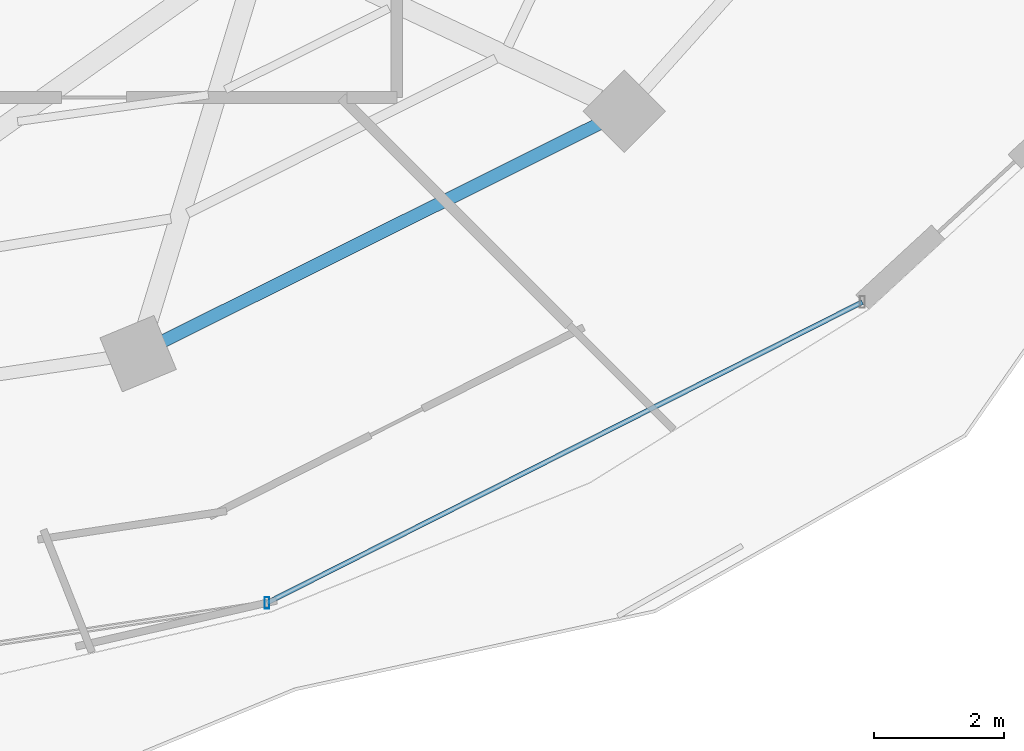
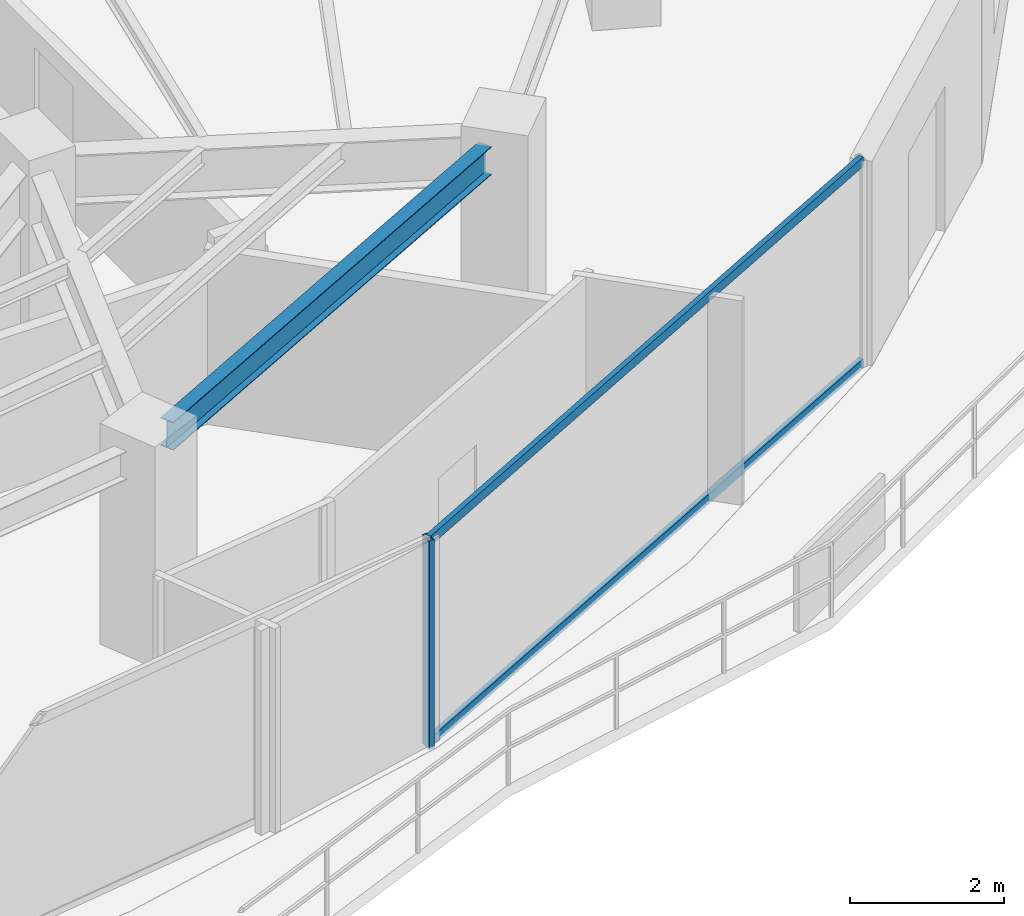
# One storey, part 11 of 33: 3 members, 1 beam, 1 element without a shape of its own.
"""IFC4 building model written with IfcOpenShell, lengths in metres."""

from ifc_helpers import new_model, si_unit, direction, frame, origin, origin_2d, place, context, subcontext, project, spatial, hollow_rectangle, i_section, extrude, material, material_profile, profile_set, type_object, element, aggregate, save


model = new_model("IFC4")

# Units and contexts
model_context = context("Model", 3, precision=1e-05, world=origin(), true_north=direction((0.0, 1.0)))
body_context = subcontext(model_context, "Body", "Model", "MODEL_VIEW")
ifc_project = project(units=[si_unit("LENGTHUNIT", "METRE"), si_unit("AREAUNIT", "SQUARE_METRE"), si_unit("VOLUMEUNIT", "CUBIC_METRE"), si_unit("PLANEANGLEUNIT", "RADIAN"), si_unit("MASSUNIT", "GRAM", prefix="KILO")], contexts=[model_context])

# Site, building, storey
site_placement = place(None, origin())
site = spatial("IfcSite", under=ifc_project, at=site_placement, CompositionType="ELEMENT")
building_placement = place(site_placement, origin())
building = spatial("IfcBuilding", under=site, at=building_placement, Name="Vorneva Point Tower", CompositionType="ELEMENT")
storey_placement = place(building_placement, frame((0.0, 0.0, 189.60009765625)))
storey = spatial("IfcBuildingStorey", under=building, at=storey_placement, Name="L51", CompositionType="ELEMENT", Elevation=189.60009765625)

# Beam
ifc_material_1 = material(Name="Steel S355", Category="steel")
ifc_material_profile_1 = material_profile(ifc_material_1, i_section(OverallWidth=0.198974609375, OverallDepth=0.446044921875, WebThickness=0.008056640625, FlangeThickness=0.011962890625, at=origin_2d()), Name="45B1")
ifc_profile_set_1 = profile_set([ifc_material_profile_1], Name="Steel S355")
beam_type = type_object("IfcBeamType", Name="BM-SPN-45B1", PredefinedType="SPANDREL", material=ifc_profile_set_1)
beam_placement = place(storey_placement, frame((47.210205078125, 10.303466796875, 3.016845703125), z_axis=(0.894922371084, 0.446221861559, 0.0), x_axis=(-0.446221861559, 0.894922371084, 0.0)))
element("IfcBeam", 1, at=beam_placement, inside=storey, type_object=beam_type, Name="L51 Perimeter Spandrel Ring Beam 14", PredefinedType="SPANDREL", context=body_context, shape_type="SweptSolid", body=[
    extrude(i_section(OverallWidth=0.198974609375, OverallDepth=0.446044921875, WebThickness=0.008056640625, FlangeThickness=0.011962890625, at=origin_2d()), origin(), (0.0, 0.0, 1.0), 7.48583984375),
])

# Curtain wall, members
ifc_material_2 = material(Name="Pale anodised aluminium", Category="aluminium")
curtain_wall_type = type_object("IfcCurtainWallType", Name="CW-RES-SYS", PredefinedType="NOTDEFINED", material=ifc_material_2)
curtain_wall_placement = place(storey_placement, origin())
curtain_wall = element("IfcCurtainWall", 2, at=curtain_wall_placement, inside=storey, type_object=curtain_wall_type, Name="L51 Unitised Curtain Wall CW-L51-R04", PredefinedType="NOTDEFINED")
ifc_material_profile_2 = material_profile(ifc_material_2, hollow_rectangle(XDim=0.074951171875, YDim=0.179931640625, WallThickness=0.00390625, at=origin_2d()), Name="AL-MUL 180x75x4")
ifc_profile_set_2 = profile_set([ifc_material_profile_2], Name="Pale anodised aluminium")
member_type_1 = type_object("IfcMemberType", Name="CW-MUL-180", PredefinedType="MULLION", material=ifc_profile_set_2)
member_1_placement = place(storey_placement, frame((48.80322265625, 6.275146484375, -0.0400390625), z_axis=(0.0, 0.0, 1.0), x_axis=(1.0, 0.0, 0.0)))
member_1 = element("IfcMember", 3, at=member_1_placement, type_object=member_type_1, Name="CW-L51-R04 Mullion 04", PredefinedType="MULLION", context=body_context, shape_type="SweptSolid", body=[
    extrude(hollow_rectangle(XDim=0.074951171875, YDim=0.179931640625, WallThickness=0.00390625, at=origin_2d()), origin(), (0.0, 0.0, 1.0), 3.31005859375),
])
ifc_material_profile_3 = material_profile(ifc_material_2, hollow_rectangle(XDim=0.074951171875, YDim=0.14990234375, WallThickness=0.00390625, at=origin_2d()), Name="AL-TRN 150x75x4")
ifc_profile_set_3 = profile_set([ifc_material_profile_3], Name="Pale anodised aluminium")
member_type_2 = type_object("IfcMemberType", Name="CW-TRN-150", PredefinedType="USERDEFINED", material=ifc_profile_set_3)
member_2_placement = place(storey_placement, frame((48.80322265625, 6.275146484375, 0.02001953125), z_axis=(0.892510927709, 0.451025768576, 0.0), x_axis=(-0.451025768576, 0.892510927709, 0.0)))
member_2 = element("IfcMember", 4, at=member_2_placement, type_object=member_type_2, Name="CW-L51-R04 Transom 04.1", ObjectType="TRANSOM", PredefinedType="USERDEFINED", context=body_context, shape_type="SweptSolid", body=[
    extrude(hollow_rectangle(XDim=0.074951171875, YDim=0.14990234375, WallThickness=0.00390625, at=origin_2d()), origin(), (0.0, 0.0, 1.0), 10.261474609375),
])
member_3_placement = place(storey_placement, frame((48.80322265625, 6.275146484375, 3.219970703125), z_axis=(0.892510927709, 0.451025768576, 0.0), x_axis=(-0.451025768576, 0.892510927709, 0.0)))
member_3 = element("IfcMember", 5, at=member_3_placement, type_object=member_type_2, Name="CW-L51-R04 Transom 04.2", ObjectType="TRANSOM", PredefinedType="USERDEFINED", context=body_context, shape_type="SweptSolid", body=[
    extrude(hollow_rectangle(XDim=0.074951171875, YDim=0.14990234375, WallThickness=0.00390625, at=origin_2d()), origin(), (0.0, 0.0, 1.0), 10.261474609375),
])
aggregate(curtain_wall, [member_1, member_2, member_3])

save(model, "model.ifc")
